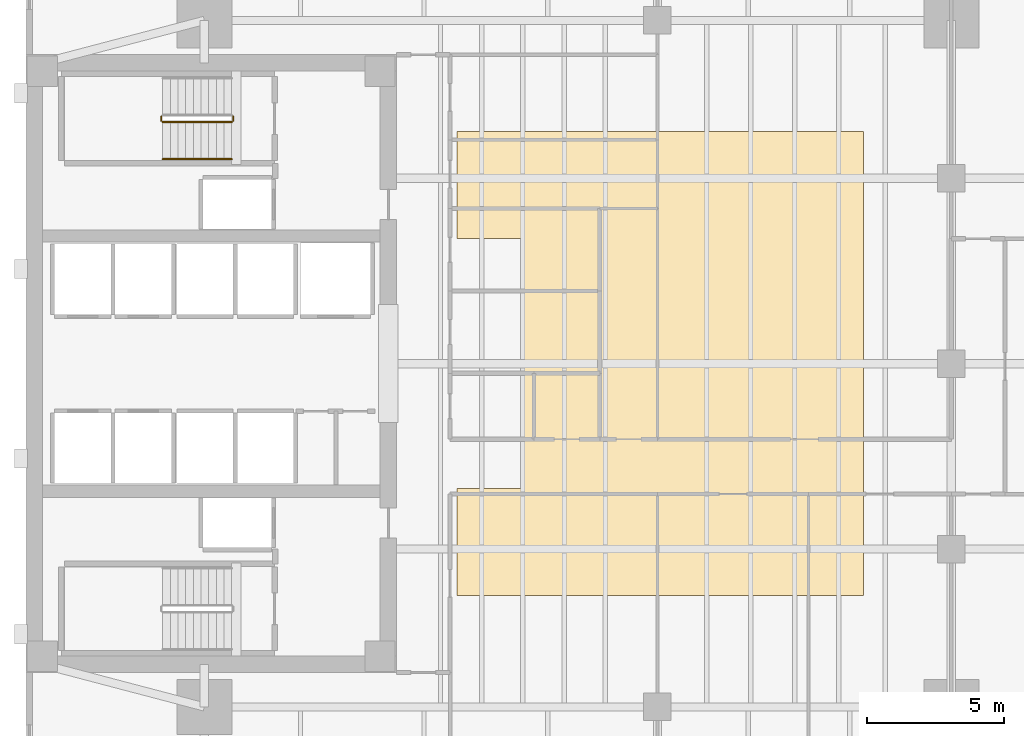
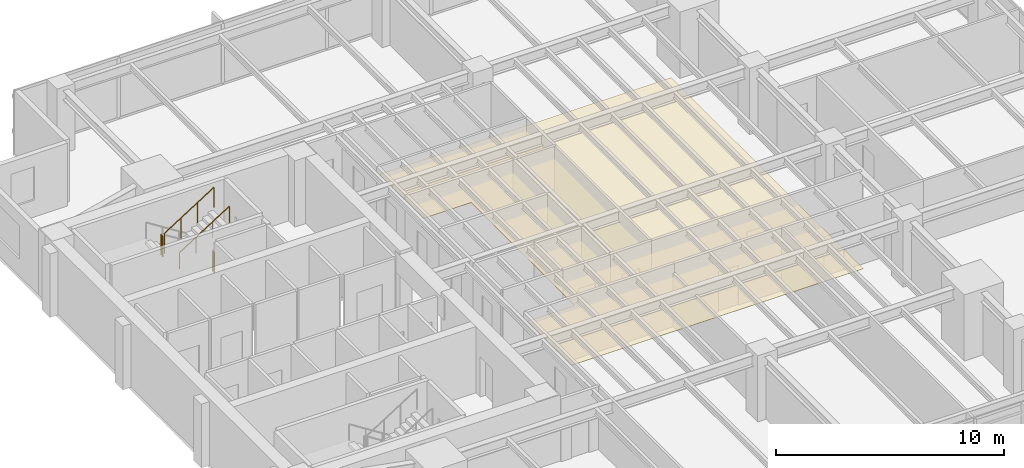
# One storey, part 13 of 15: 4 railings, 1 covering.
"""IFC4 building model written with IfcOpenShell, lengths in metres."""

from ifc_helpers import new_model, si_unit, direction, frame, origin, origin_2d, place, context, subcontext, project, spatial, polyline, circle, outline, extrude, material, layer, layer_set, type_object, element, save


model = new_model("IFC4")

# Units and contexts
model_context = context("Model", 3, precision=1e-05, world=origin(), true_north=direction((0.0, 1.0)))
body_context = subcontext(model_context, "Body", "Model", "MODEL_VIEW")
ifc_project = project(units=[si_unit("LENGTHUNIT", "METRE"), si_unit("AREAUNIT", "SQUARE_METRE"), si_unit("VOLUMEUNIT", "CUBIC_METRE"), si_unit("PLANEANGLEUNIT", "RADIAN"), si_unit("MASSUNIT", "GRAM", prefix="KILO")], contexts=[model_context])

# Site, building, storey
site_placement = place(None, origin())
site = spatial("IfcSite", under=ifc_project, at=site_placement, CompositionType="ELEMENT")
building_placement = place(site_placement, origin())
building = spatial("IfcBuilding", under=site, at=building_placement, Name="Kinhvarn Gate Tower", CompositionType="ELEMENT")
storey_placement = place(building_placement, frame((0.0, 0.0, 112.89990234375)))
storey = spatial("IfcBuildingStorey", under=building, at=storey_placement, Name="L29", CompositionType="ELEMENT", Elevation=112.89990234375)

# Covering
ifc_material_1 = material(Name="Mineral-fibre acoustic ceiling tile")
ifc_layer = layer(ifc_material_1, 0.02001953125)
ifc_layer_set = layer_set([ifc_layer], Name="Mineral-fibre acoustic ceiling tile")
covering_type = type_object("IfcCoveringType", Name="COV-CEIL-20", PredefinedType="CEILING", material=ifc_layer_set)
covering_placement = place(storey_placement, frame((0.0, 0.0, 2.650146484375)))
element("IfcCovering", 1, at=covering_placement, inside=storey, type_object=covering_type, Name="Suspended Acoustic Ceiling Tile (L29-1)", PredefinedType="CEILING", context=body_context, shape_type="SweptSolid", body=[
    extrude(outline(polyline([(35.0, 33.699951171875), (35.0, 16.800048828125), (20.199951171875, 16.800048828125), (20.199951171875, 20.699951171875), (22.60009765625, 20.699951171875), (22.60009765625, 29.800048828125), (20.199951171875, 29.800048828125), (20.199951171875, 33.699951171875), (35.0, 33.699951171875)])), origin(), (0.0, 0.0, 1.0), 0.02001953125),
])

# Railings
ifc_material_2 = material(Name="Steel S355", Category="steel")
railing_type_1 = type_object("IfcRailingType", Name="RL-ST-GRD", PredefinedType="BALUSTRADE", material=ifc_material_2)
railing_1_placement = place(storey_placement, frame((9.429931640625, 34.25, 1.775146484375)))
element("IfcRailing", 2, at=railing_1_placement, inside=storey, type_object=railing_type_1, Name="L29 ST2 stair guard 2", PredefinedType="BALUSTRADE", context=body_context, shape_type="SweptSolid", body=[
    extrude(circle(Radius=0.02392578125, at=origin_2d()), frame((0.0, 0.0, 1.076171875), z_axis=(0.0, -1.0, 0.0), x_axis=(1.0, 0.0, 0.0)), (0.0, 0.0, 1.0), 0.14990234375),
    extrude(circle(Radius=0.02099609375, at=origin_2d()), origin(), (0.0, 0.0, 1.0), 1.052001953125),
    extrude(circle(Radius=0.02099609375, at=origin_2d()), frame((0.0, -0.14990234375, 0.0)), (0.0, 0.0, 1.0), 1.052001953125),
])
railing_2_placement = place(storey_placement, frame((9.47998046875, 34.050048828125, 1.95263671875)))
element("IfcRailing", 3, at=railing_2_placement, inside=storey, type_object=railing_type_1, Name="L29 ST2 stair guard 3", PredefinedType="BALUSTRADE", context=body_context, shape_type="SweptSolid", body=[
    extrude(circle(Radius=0.02392578125, at=origin_2d()), frame((0.0, 0.0, 1.076171875), z_axis=(0.84460694969, 0.0, 0.535386869969), x_axis=(0.0, 1.0, 0.0)), (0.0, 0.0, 1.0), 2.983642578125),
    extrude(circle(Radius=0.02099609375, at=origin_2d()), origin(), (0.0, 0.0, 1.0), 1.052001953125),
    extrude(circle(Radius=0.02099609375, at=origin_2d()), frame((0.840087890625, 0.0, 0.532470703125)), (0.0, 0.0, 1.0), 1.052001953125),
    extrude(circle(Radius=0.02099609375, at=origin_2d()), frame((1.679931640625, 0.0, 1.06494140625)), (0.0, 0.0, 1.0), 1.052001953125),
    extrude(circle(Radius=0.02099609375, at=origin_2d()), frame((2.52001953125, 0.0, 1.597412109375)), (0.0, 0.0, 1.0), 1.052001953125),
])
railing_3_placement = place(storey_placement, frame((12.050048828125, 34.25, 0.0)))
element("IfcRailing", 4, at=railing_3_placement, inside=storey, type_object=railing_type_1, Name="L29 ST2 stair guard 4", PredefinedType="BALUSTRADE", context=body_context, shape_type="SweptSolid", body=[
    extrude(circle(Radius=0.02392578125, at=origin_2d()), frame((0.0, 0.0, 1.076171875), z_axis=(0.0, -1.0, 0.0), x_axis=(1.0, 0.0, 0.0)), (0.0, 0.0, 1.0), 0.14990234375),
    extrude(circle(Radius=0.02099609375, at=origin_2d()), origin(), (0.0, 0.0, 1.0), 1.052001953125),
    extrude(circle(Radius=0.02099609375, at=origin_2d()), frame((0.0, -0.14990234375, 0.0)), (0.0, 0.0, 1.0), 1.052001953125),
])
railing_type_2 = type_object("IfcRailingType", Name="RL-ST-HND", PredefinedType="HANDRAIL", material=ifc_material_2)
railing_4_placement = place(storey_placement, frame((9.47998046875, 32.699951171875, 1.95263671875)))
element("IfcRailing", 5, at=railing_4_placement, inside=storey, type_object=railing_type_2, Name="L29 ST2 stair handrail 2", PredefinedType="HANDRAIL", context=body_context, shape_type="SweptSolid", body=[
    extrude(circle(Radius=0.02392578125, at=origin_2d()), frame((0.0, 0.0, 0.8759765625), z_axis=(0.84460694969, 0.0, 0.535386869969), x_axis=(0.0, 1.0, 0.0)), (0.0, 0.0, 1.0), 2.983642578125),
    extrude(circle(Radius=0.02099609375, at=origin_2d()), origin(), (0.0, 0.0, 1.0), 0.851806640625),
    extrude(circle(Radius=0.02099609375, at=origin_2d()), frame((0.840087890625, 0.0, 0.532470703125)), (0.0, 0.0, 1.0), 0.851806640625),
    extrude(circle(Radius=0.02099609375, at=origin_2d()), frame((1.679931640625, 0.0, 1.06494140625)), (0.0, 0.0, 1.0), 0.851806640625),
    extrude(circle(Radius=0.02099609375, at=origin_2d()), frame((2.52001953125, 0.0, 1.597412109375)), (0.0, 0.0, 1.0), 0.851806640625),
])

save(model, "model.ifc")
